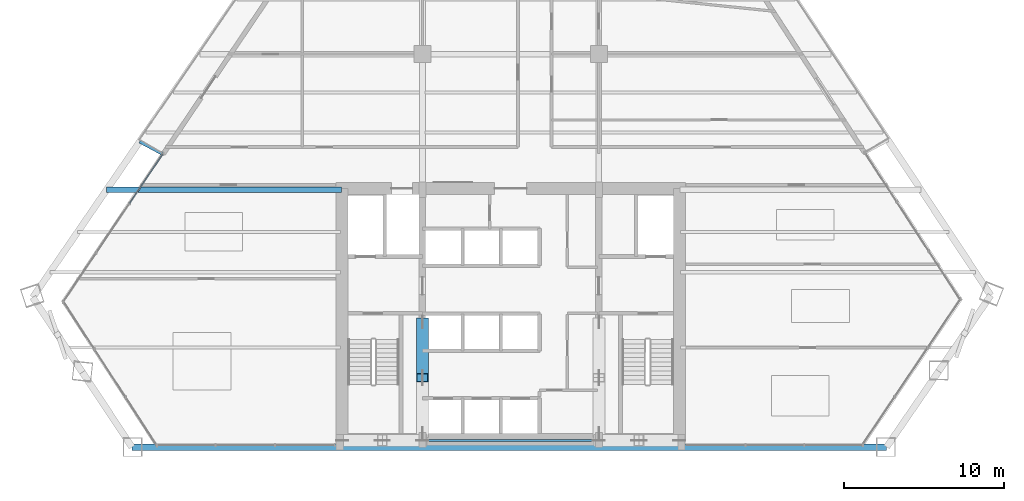
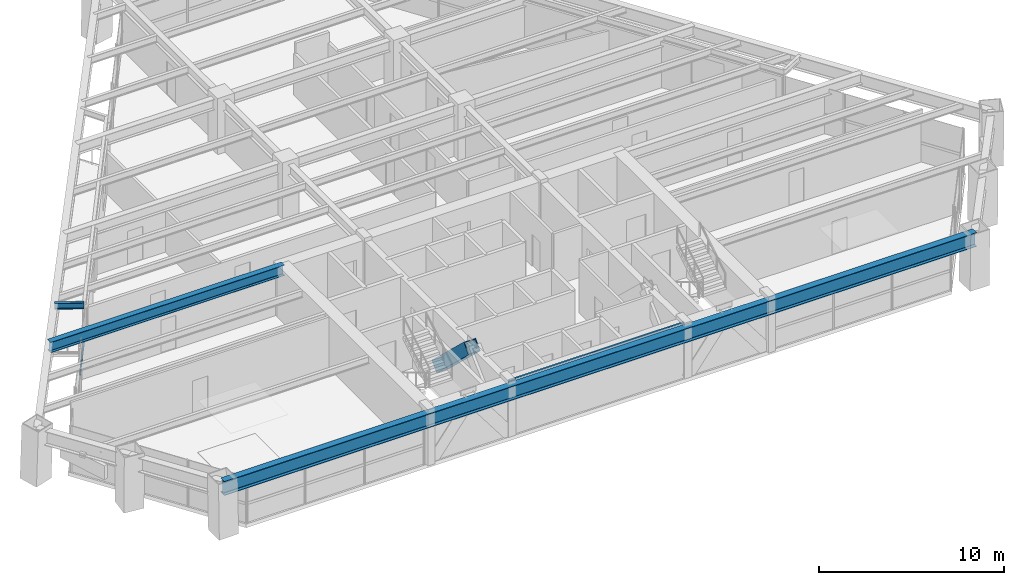
# One storey, part 3 of 14: 4 beams, 2 members, 1 element without a shape of its own.
"""IFC4 building model written with IfcOpenShell, lengths in metres."""

import ifcopenshell
import ifcopenshell.guid

model = None  # the IFC model being written
_history = None  # IfcOwnerHistory: only IFC2X3 demands one
_inside = {}  # id of a spatial element -> (the spatial element, [elements in it])
_under = {}  # id of a project, library or spatial element -> (it, [spatial elements below it])
_declared = {}  # id of a project -> (the project, [libraries it declares])
_typed = {}  # id of a type object -> (the type object, [elements of that type])
_made_of = {}  # id of a material, layer set ... -> (it, [elements and type objects made of it])


def new_model(schema):
    """Start an empty IFC model of exactly this schema.

    Asked for "IFC4X3", IfcOpenShell would pick the latest addendum, in which some entities
    have other attributes; the version numbers below select the first issue.
    IFC2X3 requires an IfcOwnerHistory on every rooted entity: one is made here for all.
    """
    global model, _history
    if schema == "IFC4X3":
        model = ifcopenshell.file(schema_version=(4, 3, 0, 0))
    else:
        model = ifcopenshell.file(schema=schema)
    _inside.clear()
    _under.clear()
    _declared.clear()
    _typed.clear()
    _made_of.clear()
    _history = None
    if model.schema == "IFC2X3":
        org = make("IfcOrganization", Name="unknown")
        user = make(
            "IfcPersonAndOrganization",
            ThePerson=make("IfcPerson", FamilyName="unknown"),
            TheOrganization=org,
        )
        app = make(
            "IfcApplication",
            ApplicationDeveloper=org,
            Version="unknown",
            ApplicationFullName="unknown",
            ApplicationIdentifier="unknown",
        )
        _history = make(
            "IfcOwnerHistory",
            OwningUser=user,
            OwningApplication=app,
            ChangeAction="ADDED",
            CreationDate=0,
        )
    return model


def make(cls, **values):
    """One entity of the class cls with the attributes given. An attribute that is None is left unset."""
    return model.create_entity(
        cls, **{name: value for name, value in values.items() if value is not None}
    )


def rooted(cls, **values):
    """An entity with a GlobalId (a new one), such as an element, a storey or a relation."""
    return make(cls, GlobalId=ifcopenshell.guid.new(), OwnerHistory=_history, **values)


def si_unit(unit_type, name, prefix=None):
    """IfcSIUnit, for example si_unit("LENGTHUNIT", "METRE", prefix="MILLI")."""
    return make("IfcSIUnit", UnitType=unit_type, Prefix=prefix, Name=name)


def assignment(units):
    """IfcUnitAssignment: the units of a project."""
    return None if units is None else make("IfcUnitAssignment", Units=units)


def point(xyz):
    """IfcCartesianPoint."""
    return None if xyz is None else make("IfcCartesianPoint", Coordinates=xyz)


def direction(xyz):
    """IfcDirection."""
    return None if xyz is None else make("IfcDirection", DirectionRatios=xyz)


def frame(location, z_axis=None, x_axis=None):
    """IfcAxis2Placement3D, a coordinate frame: its origin and axes. An axis left out is left unset."""
    return make(
        "IfcAxis2Placement3D",
        Location=point(location),
        Axis=direction(z_axis),
        RefDirection=direction(x_axis),
    )


def frame_2d(location, x_axis=None):
    """IfcAxis2Placement2D, a coordinate frame in the plane: its origin and x axis."""
    return make(
        "IfcAxis2Placement2D", Location=point(location), RefDirection=direction(x_axis)
    )


def origin():
    """The frame at (0, 0, 0) with its axes left unset."""
    return frame((0.0, 0.0, 0.0))


def origin_2d():
    """The frame at (0, 0) in the plane with its x axis left unset."""
    return frame_2d((0.0, 0.0))


def place(relative_to, where):
    """IfcLocalPlacement: puts the frame where relative to a parent placement (None: the world)."""
    return make(
        "IfcLocalPlacement", PlacementRelTo=relative_to, RelativePlacement=where
    )


def context(
    kind, dimensions, precision=None, world=None, true_north=None, identifier=None
):
    """IfcGeometricRepresentationContext, for example the 3D "Model" context."""
    return make(
        "IfcGeometricRepresentationContext",
        ContextIdentifier=identifier,
        ContextType=kind,
        CoordinateSpaceDimension=dimensions,
        Precision=precision,
        WorldCoordinateSystem=world,
        TrueNorth=true_north,
    )


def subcontext(parent, identifier, kind, view, scale=None):
    """IfcGeometricRepresentationSubContext, for example "Body" below "Model"."""
    return make(
        "IfcGeometricRepresentationSubContext",
        ContextIdentifier=identifier,
        ContextType=kind,
        ParentContext=parent,
        TargetScale=scale,
        TargetView=view,
    )


def project(units=None, contexts=None):
    """IfcProject with its units and contexts."""
    return rooted(
        "IfcProject",
        Name="project",
        RepresentationContexts=contexts,
        UnitsInContext=assignment(units),
    )


def spatial(cls, under=None, at=None, **own):
    """A site, building, storey or space (cls), placed at a placement, below another one or the project."""
    s = rooted(cls, ObjectPlacement=at, **own)
    if under is not None:
        _under.setdefault(under.id(), (under, []))[1].append(s)
    return s


def profile(cls, at=None, kind="AREA", **sizes):
    """A parametric profile (cls). Its sizes go by their IFC names, for example OverallWidth=200.0."""
    return make(cls, ProfileType=kind, Position=at, **sizes)


def rectangle(**sizes):
    """IfcRectangleProfileDef."""
    return profile("IfcRectangleProfileDef", **sizes)


def hollow_rectangle(**sizes):
    """IfcRectangleHollowProfileDef."""
    return profile("IfcRectangleHollowProfileDef", **sizes)


def i_section(**sizes):
    """IfcIShapeProfileDef."""
    return profile("IfcIShapeProfileDef", **sizes)


def extrude(swept, where, along, depth):
    """IfcExtrudedAreaSolid: the profile swept, set in the frame where, extruded along a direction by depth."""
    return make(
        "IfcExtrudedAreaSolid",
        SweptArea=swept,
        Position=where,
        ExtrudedDirection=direction(along),
        Depth=depth,
    )


def shape(context_of_items, identifier, shape_type, items):
    """IfcShapeRepresentation: the items that make up one representation, for example the "Body"."""
    return make(
        "IfcShapeRepresentation",
        ContextOfItems=context_of_items,
        RepresentationIdentifier=identifier,
        RepresentationType=shape_type,
        Items=items,
    )


def source(mapping_origin, context_of_items, identifier, shape_type, items):
    """IfcRepresentationMap: a shape defined once, which mapped items show again and again."""
    return make(
        "IfcRepresentationMap",
        MappingOrigin=mapping_origin,
        MappedRepresentation=shape(context_of_items, identifier, shape_type, items),
    )


def transform(
    local_origin,
    x_axis=None,
    y_axis=None,
    z_axis=None,
    scale=None,
    scale2=None,
    scale3=None,
    uniform=True,
):
    """IfcCartesianTransformationOperator3D, or its non-uniform kind. x_axis, y_axis, z_axis: its Axis1, 2, 3."""
    if uniform:
        return make(
            "IfcCartesianTransformationOperator3D",
            Axis1=direction(x_axis),
            Axis2=direction(y_axis),
            LocalOrigin=point(local_origin),
            Scale=scale,
            Axis3=direction(z_axis),
        )
    return make(
        "IfcCartesianTransformationOperator3DnonUniform",
        Axis1=direction(x_axis),
        Axis2=direction(y_axis),
        LocalOrigin=point(local_origin),
        Scale=scale,
        Axis3=direction(z_axis),
        Scale2=scale2,
        Scale3=scale3,
    )


def mapped(mapping_source, mapping_target):
    """IfcMappedItem: shows the shape of a source again, moved by a transform."""
    return make(
        "IfcMappedItem", MappingSource=mapping_source, MappingTarget=mapping_target
    )


def material(Name=None, Category=None):
    """IfcMaterial."""
    return make("IfcMaterial", Name=Name, Category=Category)


def material_profile(
    of_material, cross_section, Name=None, Category=None, Priority=None
):
    """IfcMaterialProfile: a cross section and its material."""
    return make(
        "IfcMaterialProfile",
        Name=Name,
        Material=of_material,
        Profile=cross_section,
        Priority=Priority,
        Category=Category,
    )


def profile_set(profiles, Name=None, composite=None):
    """IfcMaterialProfileSet."""
    return make(
        "IfcMaterialProfileSet",
        Name=Name,
        MaterialProfiles=profiles,
        CompositeProfile=composite,
    )


def made_of(thing, what):
    """Note that an element or type object is made of a material, layer set ...; save() writes the relation."""
    if what is not None:
        _made_of.setdefault(what.id(), (what, []))[1].append(thing)
    return thing


def type_object(cls, material=None, **own):
    """A type object (cls), such as IfcWallType, which elements share."""
    return made_of(rooted(cls, **own), material)


def type_shapes(of_type, sources):
    """Give a type object the sources (RepresentationMaps) that its elements show as mapped items."""
    of_type.RepresentationMaps = sources


def element(
    cls,
    number,
    at=None,
    inside=None,
    cuts=None,
    type_object=None,
    material=None,
    context=None,
    identifier="Body",
    shape_type=None,
    held_by="IfcProductDefinitionShape",
    body=None,
    shapes=None,
    **own,
):
    """One element of the class cls, such as IfcWall. Its Tag is "e" and its number.

    at: its placement. inside: the storey or other place that contains it. cuts: it is an
    opening in that element (IfcRelVoidsElement). A single representation is given by context,
    identifier, shape_type and body (its items); several are given by shapes. held_by: the class
    of the entity that holds the representations. save() writes the other relations.
    """
    e = rooted(cls, Tag="e%d" % number, ObjectPlacement=at, **own)
    if body is not None:
        shapes = [shape(context, identifier, shape_type, body)]
    if shapes is not None:
        e.Representation = make(held_by, Representations=shapes)
    if inside is not None:
        _inside.setdefault(inside.id(), (inside, []))[1].append(e)
    if cuts is not None:
        rooted(
            "IfcRelVoidsElement", RelatingBuildingElement=cuts, RelatedOpeningElement=e
        )
    if type_object is not None:
        _typed.setdefault(type_object.id(), (type_object, []))[1].append(e)
    return made_of(e, material)


def aggregate(whole, parts):
    """IfcRelAggregates: a whole, such as a stair, and the parts it consists of."""
    return rooted("IfcRelAggregates", RelatingObject=whole, RelatedObjects=parts)


def save(model, path):
    """Write the relations noted so far, then the file.

    IfcRelAggregates (storeys below a building ...), IfcRelContainedInSpatialStructure (elements
    in a storey), IfcRelDefinesByType, IfcRelAssociatesMaterial and IfcRelDeclares: one each for
    every whole, place, type object, material and project.
    """
    for whole, parts in _under.values():
        aggregate(whole, parts)
    for where, things in _inside.values():
        rooted(
            "IfcRelContainedInSpatialStructure",
            RelatedElements=things,
            RelatingStructure=where,
        )
    for kind, things in _typed.values():
        rooted("IfcRelDefinesByType", RelatedObjects=things, RelatingType=kind)
    for what, things in _made_of.values():
        rooted("IfcRelAssociatesMaterial", RelatedObjects=things, RelatingMaterial=what)
    for by, libraries in _declared.values():
        rooted("IfcRelDeclares", RelatingContext=by, RelatedDefinitions=libraries)
    model.write(path)


model = new_model("IFC4")

# Units and contexts
model_context = context("Model", 3, precision=1e-05, world=origin(), true_north=direction((0.0, 1.0)))
body_context = subcontext(model_context, "Body", "Model", "MODEL_VIEW")
ifc_project = project(units=[si_unit("LENGTHUNIT", "METRE"), si_unit("AREAUNIT", "SQUARE_METRE"), si_unit("VOLUMEUNIT", "CUBIC_METRE"), si_unit("PLANEANGLEUNIT", "RADIAN"), si_unit("MASSUNIT", "GRAM", prefix="KILO")], contexts=[model_context])

# Site, building, storey
site_placement = place(None, origin())
site = spatial("IfcSite", under=ifc_project, at=site_placement, CompositionType="ELEMENT")
building_placement = place(site_placement, origin())
building = spatial("IfcBuilding", under=site, at=building_placement, Name="Varnakhor Terracotta Tower", CompositionType="ELEMENT")
storey_placement = place(building_placement, frame((0.0, 0.0, 91.39990234375)))
storey = spatial("IfcBuildingStorey", under=building, at=storey_placement, Name="L22", CompositionType="ELEMENT", Elevation=91.39990234375)

# Beam
ifc_material_1 = material(Name="Steel S355", Category="steel")
ifc_material_profile_1 = material_profile(ifc_material_1, i_section(OverallWidth=0.1201171875, OverallDepth=0.239990234375, WebThickness=0.006103515625, FlangeThickness=0.009765625, FilletRadius=0.01806640625, at=origin_2d()), Name="IPE240")
ifc_profile_set_1 = profile_set([ifc_material_profile_1], Name="Steel S355")
beam_type_1 = type_object("IfcBeamType", Name="LNT-IPE240", PredefinedType="LINTEL", material=ifc_profile_set_1)
shared_shape_1 = source(origin(), body_context, "Body", "SweptSolid", [
    extrude(i_section(OverallWidth=0.1201171875, OverallDepth=0.239990234375, WebThickness=0.006103515625, FlangeThickness=0.009765625, FilletRadius=0.01806640625, at=origin_2d()), origin(), (0.0, 0.0, 1.0), 11.0),
])
type_shapes(beam_type_1, [shared_shape_1])
beam_1_placement = place(storey_placement, frame((-5.5, 0.419921875, 3.330078125), z_axis=(1.0, 0.0, 0.0), x_axis=(0.0, 1.0, 0.0)))
element("IfcBeam", 1, at=beam_1_placement, inside=storey, type_object=beam_type_1, Name="L22 Core South Coupling Lintel", PredefinedType="LINTEL", context=body_context, shape_type="MappedRepresentation", body=[
    mapped(shared_shape_1, transform((0.0, 0.0, 0.0), scale=1.0)),
])

# Member
ifc_material_2 = material(Name="Steel S460", Category="steel")
ifc_material_profile_2 = material_profile(ifc_material_2, hollow_rectangle(XDim=0.75, YDim=0.75, WallThickness=0.044921875, at=origin_2d()), Name="HSS750X750X45")
ifc_profile_set_2 = profile_set([ifc_material_profile_2], Name="Steel S460")
member_type_1 = type_object("IfcMemberType", Name="MBR-MEGA-750", PredefinedType="BRACE", material=ifc_profile_set_2)
shared_shape_2 = source(origin(), body_context, "Body", "SweptSolid", [
    extrude(hollow_rectangle(XDim=0.75, YDim=0.75, WallThickness=0.044921875, at=origin_2d()), origin(), (0.0, 0.0, 1.0), 4.792236328125),
])
member_1_placement = place(storey_placement, frame((-5.5, 7.800048828125, 0.0), z_axis=(0.0, -0.72513424341, 0.688607529028), x_axis=(1.0, 0.0, 0.0)))
element("IfcMember", 2, at=member_1_placement, inside=storey, type_object=member_type_1, Name="L22 Core Coupled Brace CWWB", PredefinedType="BRACE", context=body_context, shape_type="MappedRepresentation", body=[
    mapped(shared_shape_2, transform((0.0, 0.0, 0.0), scale=1.0)),
])

# Beams
ifc_material_profile_3 = material_profile(ifc_material_1, i_section(OverallWidth=0.41796875, OverallDepth=0.927001953125, WebThickness=0.01904296875, FlangeThickness=0.031982421875, FilletRadius=0.01806640625, at=origin_2d()), Name="W36X231")
ifc_profile_set_3 = profile_set([ifc_material_profile_3], Name="Steel S355")
beam_type_2 = type_object("IfcBeamType", Name="BM-W36X231", PredefinedType="BEAM", material=ifc_profile_set_3)
shared_shape_3 = source(origin(), body_context, "Body", "SweptSolid", [
    extrude(i_section(OverallWidth=0.41796875, OverallDepth=0.927001953125, WebThickness=0.01904296875, FlangeThickness=0.031982421875, FilletRadius=0.01806640625, at=origin_2d()), origin(), (0.0, 0.0, 1.0), 47.04296875),
])
beam_2_placement = place(storey_placement, frame((-23.605712890625, 0.0, 2.986572265625), z_axis=(1.0, 0.0, 0.0), x_axis=(0.0, 1.0, 0.0)))
element("IfcBeam", 3, at=beam_2_placement, inside=storey, type_object=beam_type_2, Name="L22 Perimeter Spandrel 1", PredefinedType="BEAM", context=body_context, shape_type="MappedRepresentation", body=[
    mapped(shared_shape_3, transform((0.0, 0.0, 0.0), scale=1.0)),
])
ifc_material_profile_4 = material_profile(ifc_material_1, i_section(OverallWidth=0.35498046875, OverallDepth=0.695068359375, WebThickness=0.014892578125, FlangeThickness=0.02490234375, FilletRadius=0.01806640625, at=origin_2d()), Name="W27X146")
ifc_profile_set_4 = profile_set([ifc_material_profile_4], Name="Steel S355")
beam_type_3 = type_object("IfcBeamType", Name="BM-W27X146", PredefinedType="BEAM", material=ifc_profile_set_4)
shared_shape_4 = source(origin(), body_context, "Body", "SweptSolid", [
    extrude(i_section(OverallWidth=0.35498046875, OverallDepth=0.695068359375, WebThickness=0.014892578125, FlangeThickness=0.02490234375, FilletRadius=0.01806640625, at=origin_2d()), origin(), (0.0, 0.0, 1.0), 14.630859375),
])
beam_3_placement = place(storey_placement, frame((-25.180908203125, 16.050048828125, 3.1025390625), z_axis=(1.0, 0.0, 0.0), x_axis=(0.0, 1.0, 0.0)))
element("IfcBeam", 4, at=beam_3_placement, inside=storey, type_object=beam_type_3, Name="L22 Wing Girder W", PredefinedType="BEAM", context=body_context, shape_type="MappedRepresentation", body=[
    mapped(shared_shape_4, transform((0.0, 0.0, 0.0), scale=1.0)),
])

# Curtain wall, member
ifc_material_3 = material(Name="Anodised Aluminium Curtain Wall System", Category="aluminium")
curtain_wall_type = type_object("IfcCurtainWallType", Name="CW-SYS-LOW-OFFICE", PredefinedType="NOTDEFINED", material=ifc_material_3)
curtain_wall_placement = place(storey_placement, origin())
curtain_wall = element("IfcCurtainWall", 5, at=curtain_wall_placement, inside=storey, type_object=curtain_wall_type, Name="L22 W Facet Curtain Wall 1", PredefinedType="NOTDEFINED")
ifc_material_4 = material(Name="Anodised Aluminium 6063-T6", Category="aluminium")
ifc_material_profile_5 = material_profile(ifc_material_4, rectangle(XDim=0.074951171875, YDim=0.1650390625, at=origin_2d()), Name="ALU TRANSOM 75x165")
ifc_profile_set_5 = profile_set([ifc_material_profile_5], Name="Anodised Aluminium 6063-T6")
member_type_2 = type_object("IfcMemberType", Name="CWT-02", PredefinedType="USERDEFINED", material=ifc_profile_set_5)
shared_shape_5 = source(origin(), body_context, "Body", "SweptSolid", [
    extrude(rectangle(XDim=0.074951171875, YDim=0.1650390625, at=origin_2d()), origin(), (0.0, 0.0, 1.0), 3.70703125),
])
member_2_placement = place(storey_placement, frame((-23.7587890625, 15.1904296875, 1.272705078125), z_axis=(0.558736295373, 0.829345375723, 0.0), x_axis=(-0.829345375723, 0.558736295373, 0.0)))
member_2 = element("IfcMember", 6, at=member_2_placement, type_object=member_type_2, Name="L22 W Facet Curtain Wall 1 Transom 3", ObjectType="TRANSOM", PredefinedType="USERDEFINED", context=body_context, shape_type="MappedRepresentation", body=[
    mapped(shared_shape_5, transform((0.0, 0.0, 0.0), scale=1.0)),
])
aggregate(curtain_wall, [member_2])

# Beam
ifc_material_profile_6 = material_profile(ifc_material_1, i_section(OverallWidth=0.179931640625, OverallDepth=0.39990234375, WebThickness=0.008544921875, FlangeThickness=0.013427734375, FilletRadius=0.01806640625, at=origin_2d()), Name="IPE400")
ifc_profile_set_6 = profile_set([ifc_material_profile_6], Name="Steel S355")
beam_type_4 = type_object("IfcBeamType", Name="JST-IPE400", PredefinedType="JOIST", material=ifc_profile_set_6)
shared_shape_6 = source(origin(), body_context, "Body", "SweptSolid", [
    extrude(i_section(OverallWidth=0.179931640625, OverallDepth=0.39990234375, WebThickness=0.008544921875, FlangeThickness=0.013427734375, FilletRadius=0.01806640625, at=origin_2d()), origin(), (0.0, 0.0, 1.0), 1.611572265625),
])
beam_4_placement = place(storey_placement, frame((-21.709228515625, 18.2763671875, 3.25), z_axis=(-0.880923088845, 0.473259454781, 0.0), x_axis=(-0.473259454781, -0.880923088845, 0.0)))
element("IfcBeam", 7, at=beam_4_placement, inside=storey, type_object=beam_type_4, Name="L23 W Loggia Tie Beam 1", PredefinedType="JOIST", context=body_context, shape_type="MappedRepresentation", body=[
    mapped(shared_shape_6, transform((0.0, 0.0, 0.0), scale=1.0)),
])

save(model, "model.ifc")
